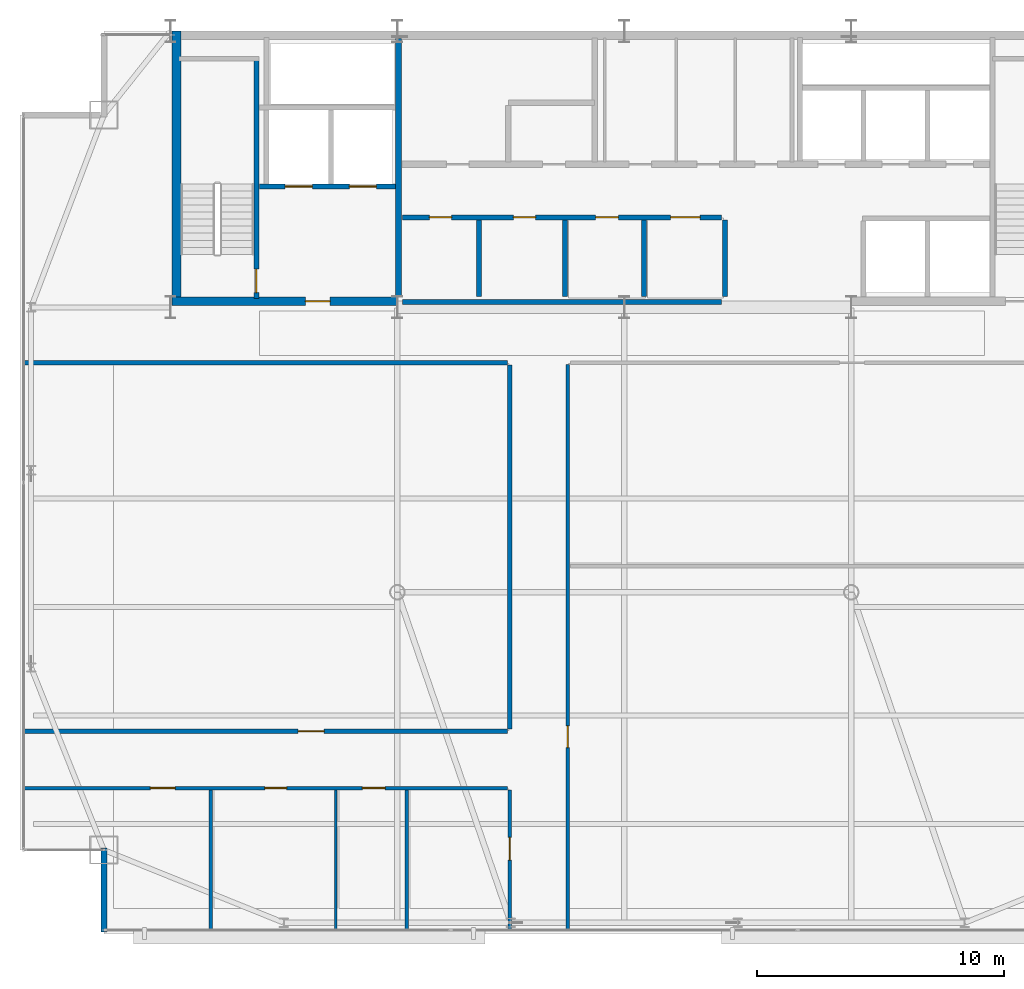
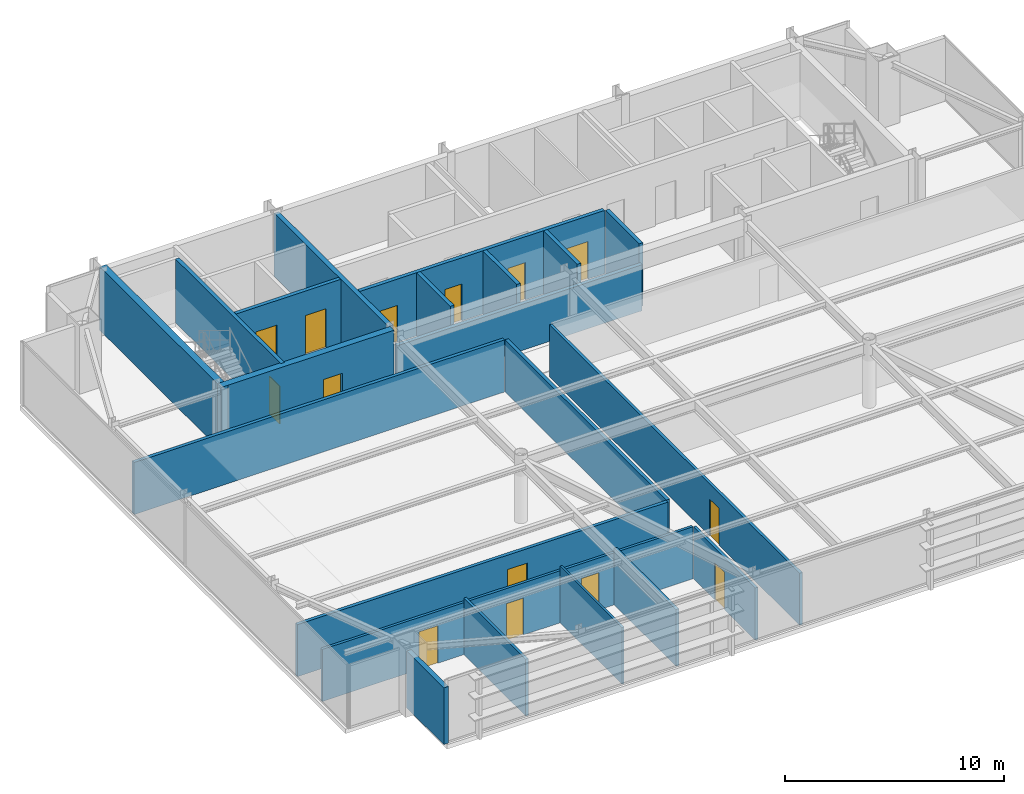
# One storey, part 22 of 25: 21 walls, 14 doors, 14 openings.
"""IFC4 building model written with IfcOpenShell, lengths in metres."""

from ifc_helpers import new_model, si_unit, direction, frame, frame_2d, origin, place, context, subcontext, project, spatial, rectangle, extrude, source, transform, mapped, material, layer, layer_set, type_object, type_shapes, element, fill, save


model = new_model("IFC4")

# Units and contexts
model_context = context("Model", 3, precision=1e-05, world=origin(), true_north=direction((0.0, 1.0)))
body_context = subcontext(model_context, "Body", "Model", "MODEL_VIEW")
ifc_project = project(units=[si_unit("LENGTHUNIT", "METRE"), si_unit("AREAUNIT", "SQUARE_METRE"), si_unit("VOLUMEUNIT", "CUBIC_METRE"), si_unit("PLANEANGLEUNIT", "RADIAN"), si_unit("MASSUNIT", "GRAM", prefix="KILO")], contexts=[model_context])

# Site, building, storey
site_placement = place(None, origin())
site = spatial("IfcSite", under=ifc_project, at=site_placement, CompositionType="ELEMENT")
building_placement = place(site_placement, origin())
building = spatial("IfcBuilding", under=site, at=building_placement, Name="Varnel Quay Broadcast Tower", CompositionType="ELEMENT")
storey_placement = place(building_placement, frame((0.0, 0.0, 250.800048828125)))
storey = spatial("IfcBuildingStorey", under=building, at=storey_placement, Name="L62", CompositionType="ELEMENT", Elevation=250.800048828125)

# Wall, opening, door
ifc_material_1 = material(Name="Concrete CSA A23.3 C50/60", Category="concrete")
ifc_layer_1 = layer(ifc_material_1, 0.199951171875, Name="Concrete CSA A23.3 C50/60")
ifc_layer_set_1 = layer_set([ifc_layer_1], Name="Concrete CSA A23.3 C50/60")
wall_type_1 = type_object("IfcWallType", Name="Wall_CoreShaftShear200", PredefinedType="SHEAR", material=ifc_layer_set_1)
wall_1_placement = place(storey_placement, frame((19.080078125, 35.949951171875, 0.0), z_axis=(0.0, 0.0, 1.0), x_axis=(0.0, 1.0, 0.0)))
wall_1 = element("IfcWall", 1, at=wall_1_placement, inside=storey, type_object=wall_type_1, Name="L62 Stair 1 East Structural Wall", PredefinedType="SHEAR", context=body_context, shape_type="SweptSolid", body=[
    extrude(rectangle(XDim=9.650146484375, YDim=0.199951171875, at=frame_2d((4.8251953125, 0.0))), origin(), (0.0, 0.0, 1.0), 3.550048828125),
])
opening_1_placement = place(wall_1_placement, frame((0.25, 0.0, 0.0)))
opening_1 = element("IfcOpeningElement", 2, at=opening_1_placement, cuts=wall_1, Name="Opening D-L62-S1", PredefinedType="OPENING", context=body_context, shape_type="SweptSolid", body=[
    extrude(rectangle(XDim=0.949951171875, YDim=2.10009765625, at=frame_2d((0.47509765625, 1.050048828125))), frame((0.0, 0.10986328125, 0.0), z_axis=(0.0, -1.0, 0.0), x_axis=(1.0, 0.0, 0.0)), (0.0, 0.0, 1.0), 0.219970703125),
])
ifc_material_2 = material(Name="Insulated Fire-Rated Hollow Steel Door", Category="steel")
door_type_1 = type_object("IfcDoorType", Name="Door_FireStair950", OperationType="NOTDEFINED", PredefinedType="DOOR", material=ifc_material_2)
shared_shape_1 = source(origin(), body_context, "Body", "SweptSolid", [
    extrude(rectangle(XDim=0.949951171875, YDim=2.10009765625, at=frame_2d((0.47509765625, 1.050048828125))), frame((0.0, 0.02490234375, 0.0), z_axis=(0.0, -1.0, 0.0), x_axis=(1.0, 0.0, 0.0)), (0.0, 0.0, 1.0), 0.050048828125),
])
type_shapes(door_type_1, [shared_shape_1])
door_1_placement = place(opening_1_placement, origin())
door_1 = element("IfcDoor", 3, at=door_1_placement, inside=storey, type_object=door_type_1, Name="L62 Stair 1 Fire Door", OperationType="SINGLE_SWING_RIGHT", OverallHeight=2.10009765625, OverallWidth=0.949951171875, PredefinedType="DOOR", context=body_context, shape_type="MappedRepresentation", body=[
    mapped(shared_shape_1, transform((0.0, 0.0, 0.0), x_axis=(1.0, 0.0, 0.0), y_axis=(0.0, 1.0, 0.0), z_axis=(0.0, 0.0, 1.0), scale=1.0)),
])
fill(opening_1, door_1)

# Wall, openings, doors
wall_2_placement = place(storey_placement, frame((19.199951171875, 40.5, 0.0), z_axis=(0.0, 0.0, 1.0), x_axis=(1.0, 0.0, 0.0)))
wall_2 = element("IfcWall", 4, at=wall_2_placement, inside=storey, type_object=wall_type_1, Name="L62 Firefighter Lift Shaft Front Wall", PredefinedType="SHEAR", context=body_context, shape_type="SweptSolid", body=[
    extrude(rectangle(XDim=5.52001953125, YDim=0.199951171875, at=frame_2d((2.760009765625, 0.0))), origin(), (0.0, 0.0, 1.0), 3.550048828125),
])
opening_2_placement = place(wall_2_placement, frame((1.050048828125, 0.0, 0.0)))
opening_2 = element("IfcOpeningElement", 5, at=opening_2_placement, cuts=wall_2, Name="Opening LD-L62-FE1", PredefinedType="OPENING", context=body_context, shape_type="SweptSolid", body=[
    extrude(rectangle(XDim=1.10009765625, YDim=2.179931640625, at=frame_2d((0.550048828125, 1.08984375))), frame((0.0, 0.10986328125, 0.0), z_axis=(0.0, -1.0, 0.0), x_axis=(1.0, 0.0, 0.0)), (0.0, 0.0, 1.0), 0.219970703125),
])
opening_3_placement = place(wall_2_placement, frame((3.64990234375, 0.0, 0.0)))
opening_3 = element("IfcOpeningElement", 6, at=opening_3_placement, cuts=wall_2, Name="Opening LD-L62-FE2", PredefinedType="OPENING", context=body_context, shape_type="SweptSolid", body=[
    extrude(rectangle(XDim=1.10009765625, YDim=2.179931640625, at=frame_2d((0.550048828125, 1.08984375))), frame((0.0, 0.10986328125, 0.0), z_axis=(0.0, -1.0, 0.0), x_axis=(1.0, 0.0, 0.0)), (0.0, 0.0, 1.0), 0.219970703125),
])
ifc_material_3 = material(Name="Brushed Bronze-Stainless Lift Car & Sliding Doors", Category="steel")
door_type_2 = type_object("IfcDoorType", Name="Door_LiftLanding1100", OperationType="SLIDING_TO_LEFT", PredefinedType="DOOR", material=ifc_material_3)
shared_shape_2 = source(origin(), body_context, "Body", "SweptSolid", [
    extrude(rectangle(XDim=1.10009765625, YDim=2.179931640625, at=frame_2d((0.550048828125, 1.08984375))), frame((0.0, 0.02490234375, 0.0), z_axis=(0.0, -1.0, 0.0), x_axis=(1.0, 0.0, 0.0)), (0.0, 0.0, 1.0), 0.050048828125),
])
type_shapes(door_type_2, [shared_shape_2])
door_2_placement = place(opening_2_placement, frame((1.10009765625, 0.0, 0.0), z_axis=(0.0, 0.0, 1.0), x_axis=(-1.0, 0.0, 0.0)))
door_2 = element("IfcDoor", 7, at=door_2_placement, inside=storey, type_object=door_type_2, Name="L62 Firefighter Lift FE-01 Landing Door", OperationType="SLIDING_TO_LEFT", OverallHeight=2.179931640625, OverallWidth=1.10009765625, PredefinedType="DOOR", context=body_context, shape_type="MappedRepresentation", body=[
    mapped(shared_shape_2, transform((0.0, 0.0, 0.0), x_axis=(1.0, 0.0, 0.0), y_axis=(0.0, 1.0, 0.0), z_axis=(0.0, 0.0, 1.0), scale=1.0)),
])
fill(opening_2, door_2)
door_3_placement = place(opening_3_placement, frame((1.10009765625, 0.0, 0.0), z_axis=(0.0, 0.0, 1.0), x_axis=(-1.0, 0.0, 0.0)))
door_3 = element("IfcDoor", 8, at=door_3_placement, inside=storey, type_object=door_type_2, Name="L62 Firefighter Lift FE-02 Landing Door", OperationType="SLIDING_TO_RIGHT", OverallHeight=2.179931640625, OverallWidth=1.10009765625, PredefinedType="DOOR", context=body_context, shape_type="MappedRepresentation", body=[
    mapped(shared_shape_2, transform((0.0, 0.0, 0.0), x_axis=(1.0, 0.0, 0.0), y_axis=(0.0, 1.0, 0.0), z_axis=(0.0, 0.0, 1.0), scale=1.0)),
])
fill(opening_3, door_3)

# Walls
ifc_layer_2 = layer(ifc_material_1, 0.25, Name="Concrete CSA A23.3 C50/60")
ifc_layer_set_2 = layer_set([ifc_layer_2], Name="Concrete CSA A23.3 C50/60")
wall_type_2 = type_object("IfcWallType", Name="Wall_CoreShaftShear250", PredefinedType="SHEAR", material=ifc_layer_set_2)
wall_3_placement = place(storey_placement, frame((24.85009765625, 36.050048828125, 0.0), z_axis=(0.0, 0.0, 1.0), x_axis=(0.0, 1.0, 0.0)))
element("IfcWall", 9, at=wall_3_placement, inside=storey, type_object=wall_type_2, Name="L62 Firefighting Lobby East Structural Wall", PredefinedType="SHEAR", context=body_context, shape_type="SweptSolid", body=[
    extrude(rectangle(XDim=10.449951171875, YDim=0.25, at=frame_2d((5.22509765625, 0.0))), origin(), (0.0, 0.0, 1.0), 3.550048828125),
])
ifc_layer_3 = layer(ifc_material_1, 0.35009765625, Name="Concrete CSA A23.3 C50/60")
ifc_layer_set_3 = layer_set([ifc_layer_3], Name="Concrete CSA A23.3 C50/60")
wall_type_3 = type_object("IfcWallType", Name="Wall_CoreShearInt350", PredefinedType="SHEAR", material=ifc_layer_set_3)
wall_4_placement = place(storey_placement, frame((15.844970703125, 35.669921875, 0.0), z_axis=(0.0, 0.0, 1.0), x_axis=(0.0, 1.0, 0.0)))
element("IfcWall", 10, at=wall_4_placement, inside=storey, type_object=wall_type_3, Name="L62 West Core Shear Wall", PredefinedType="SHEAR", context=body_context, shape_type="SweptSolid", body=[
    extrude(rectangle(XDim=11.130126953125, YDim=0.35009765625, at=frame_2d((5.56494140625, 0.0))), origin(), (0.0, 0.0, 1.0), 3.550048828125),
])

# Wall, opening, door
wall_5_placement = place(storey_placement, frame((15.669921875, 35.844970703125, 0.0), z_axis=(0.0, 0.0, 1.0), x_axis=(1.0, 0.0, 0.0)))
wall_5 = element("IfcWall", 11, at=wall_5_placement, inside=storey, type_object=wall_type_3, Name="L62 South-West Core Shear Wall", PredefinedType="SHEAR", context=body_context, shape_type="SweptSolid", body=[
    extrude(rectangle(XDim=9.130126953125, YDim=0.35009765625, at=frame_2d((4.56494140625, 0.0))), origin(), (0.0, 0.0, 1.0), 3.550048828125),
])
opening_4_placement = place(wall_5_placement, frame((5.39990234375, 0.0, 0.0)))
opening_4 = element("IfcOpeningElement", 12, at=opening_4_placement, cuts=wall_5, Name="Opening D-L62-FFL", PredefinedType="OPENING", context=body_context, shape_type="SweptSolid", body=[
    extrude(rectangle(XDim=1.0, YDim=2.10009765625, at=frame_2d((0.5, 1.050048828125))), frame((0.0, 0.18505859375, 0.0), z_axis=(0.0, -1.0, 0.0), x_axis=(1.0, 0.0, 0.0)), (0.0, 0.0, 1.0), 0.3701171875),
])
door_type_3 = type_object("IfcDoorType", Name="Door_FireLobby1000", OperationType="NOTDEFINED", PredefinedType="DOOR", material=ifc_material_2)
shared_shape_3 = source(origin(), body_context, "Body", "SweptSolid", [
    extrude(rectangle(XDim=1.0, YDim=2.10009765625, at=frame_2d((0.5, 1.050048828125))), frame((0.0, 0.02490234375, 0.0), z_axis=(0.0, -1.0, 0.0), x_axis=(1.0, 0.0, 0.0)), (0.0, 0.0, 1.0), 0.050048828125),
])
type_shapes(door_type_3, [shared_shape_3])
door_4_placement = place(opening_4_placement, origin())
door_4 = element("IfcDoor", 13, at=door_4_placement, inside=storey, type_object=door_type_3, Name="L62 Firefighting Lobby Door", OperationType="SINGLE_SWING_LEFT", OverallHeight=2.10009765625, OverallWidth=1.0, PredefinedType="DOOR", context=body_context, shape_type="MappedRepresentation", body=[
    mapped(shared_shape_3, transform((0.0, 0.0, 0.0), x_axis=(1.0, 0.0, 0.0), y_axis=(0.0, 1.0, 0.0), z_axis=(0.0, 0.0, 1.0), scale=1.0)),
])
fill(opening_4, door_4)

# Walls
ifc_material_4 = material(Name="Precast Architectural Concrete C40/50", Category="concrete")
ifc_layer_4 = layer(ifc_material_4, 0.25, Name="Precast Architectural Concrete C40/50")
ifc_layer_set_4 = layer_set([ifc_layer_4], Name="Precast Architectural Concrete C40/50")
wall_type_4 = type_object("IfcWallType", Name="Wall_ExtTerrace250", PredefinedType="SOLIDWALL", material=ifc_layer_set_4)
wall_6_placement = place(storey_placement, frame((12.89990234375, 10.280029296875, 0.0), z_axis=(0.0, 0.0, 1.0), x_axis=(0.0, 1.0, 0.0)))
element("IfcWall", 14, at=wall_6_placement, inside=storey, type_object=wall_type_4, Name="L62 Mega-Column Notch Cladding Wall NSW2", PredefinedType="SOLIDWALL", context=body_context, shape_type="SweptSolid", body=[
    extrude(rectangle(XDim=3.39990234375, YDim=0.25, at=frame_2d((1.699951171875, 0.0))), origin(), (0.0, 0.0, 1.0), 3.1708984375),
])
ifc_material_5 = material(Name="Concrete Blockwork Fire Enclosure C40/50", Category="masonry")
ifc_layer_5 = layer(ifc_material_5, 0.199951171875, Name="Concrete Blockwork Fire Enclosure C40/50")
ifc_layer_set_5 = layer_set([ifc_layer_5], Name="Concrete Blockwork Fire Enclosure C40/50")
wall_type_5 = type_object("IfcWallType", Name="Wall_FireShaft200", PredefinedType="SOLIDWALL", material=ifc_layer_set_5)
wall_7_placement = place(storey_placement, frame((25.0, 35.824951171875, 0.0), z_axis=(0.0, 0.0, 1.0), x_axis=(1.0, 0.0, 0.0)))
element("IfcWall", 15, at=wall_7_placement, inside=storey, type_object=wall_type_5, Name="L62 Accessible Universal Washroom Partition 1", PredefinedType="SOLIDWALL", context=body_context, shape_type="SweptSolid", body=[
    extrude(rectangle(XDim=12.949951171875, YDim=0.199951171875, at=frame_2d((6.47509765625, 0.0))), origin(), (0.0, 0.0, 1.0), 2.574951171875),
])

# Wall, openings, doors
wall_8_placement = place(storey_placement, frame((25.0, 39.25, 0.0), z_axis=(0.0, 0.0, 1.0), x_axis=(1.0, 0.0, 0.0)))
wall_8 = element("IfcWall", 16, at=wall_8_placement, inside=storey, type_object=wall_type_5, Name="L62 Accessible Universal Washroom Partition 3", PredefinedType="SOLIDWALL", context=body_context, shape_type="SweptSolid", body=[
    extrude(rectangle(XDim=12.949951171875, YDim=0.199951171875, at=frame_2d((6.47509765625, 0.0))), origin(), (0.0, 0.0, 1.0), 3.530029296875),
])
opening_5_placement = place(wall_8_placement, frame((1.10009765625, 0.0, 0.0)))
opening_5 = element("IfcOpeningElement", 17, at=opening_5_placement, cuts=wall_8, Name="Opening D-L62-01", PredefinedType="OPENING", context=body_context, shape_type="SweptSolid", body=[
    extrude(rectangle(XDim=0.89990234375, YDim=2.06005859375, at=frame_2d((0.449951171875, 1.030029296875))), frame((0.0, 0.10986328125, 0.0), z_axis=(0.0, -1.0, 0.0), x_axis=(1.0, 0.0, 0.0)), (0.0, 0.0, 1.0), 0.219970703125),
])
opening_6_placement = place(wall_8_placement, frame((4.5, 0.0, 0.0)))
opening_6 = element("IfcOpeningElement", 18, at=opening_6_placement, cuts=wall_8, Name="Opening D-L62-02", PredefinedType="OPENING", context=body_context, shape_type="SweptSolid", body=[
    extrude(rectangle(XDim=0.89990234375, YDim=2.06005859375, at=frame_2d((0.449951171875, 1.030029296875))), frame((0.0, 0.10986328125, 0.0), z_axis=(0.0, -1.0, 0.0), x_axis=(1.0, 0.0, 0.0)), (0.0, 0.0, 1.0), 0.219970703125),
])
opening_7_placement = place(wall_8_placement, frame((7.840087890625, 0.0, 0.0)))
opening_7 = element("IfcOpeningElement", 19, at=opening_7_placement, cuts=wall_8, Name="Opening D-L62-03", PredefinedType="OPENING", context=body_context, shape_type="SweptSolid", body=[
    extrude(rectangle(XDim=0.919921875, YDim=2.080078125, at=frame_2d((0.4599609375, 1.0400390625))), frame((0.0, 0.10986328125, 0.0), z_axis=(0.0, -1.0, 0.0), x_axis=(1.0, 0.0, 0.0)), (0.0, 0.0, 1.0), 0.219970703125),
])
opening_8_placement = place(wall_8_placement, frame((10.875, 0.0, 0.0)))
opening_8 = element("IfcOpeningElement", 20, at=opening_8_placement, cuts=wall_8, Name="Opening D-L62-04", PredefinedType="OPENING", context=body_context, shape_type="SweptSolid", body=[
    extrude(rectangle(XDim=1.199951171875, YDim=2.10009765625, at=frame_2d((0.60009765625, 1.050048828125))), frame((0.0, 0.10986328125, 0.0), z_axis=(0.0, -1.0, 0.0), x_axis=(1.0, 0.0, 0.0)), (0.0, 0.0, 1.0), 0.219970703125),
])
ifc_material_6 = material(Name="Solid-Core Fire-Rated Acoustic Oak Veneer Door", Category="wood")
door_type_4 = type_object("IfcDoorType", Name="Door_Washroom900", OperationType="NOTDEFINED", PredefinedType="DOOR", material=ifc_material_6)
shared_shape_4 = source(origin(), body_context, "Body", "SweptSolid", [
    extrude(rectangle(XDim=0.89990234375, YDim=2.06005859375, at=frame_2d((0.449951171875, 1.030029296875))), frame((0.0, 0.02490234375, 0.0), z_axis=(0.0, -1.0, 0.0), x_axis=(1.0, 0.0, 0.0)), (0.0, 0.0, 1.0), 0.050048828125),
])
type_shapes(door_type_4, [shared_shape_4])
door_5_placement = place(opening_5_placement, frame((0.89990234375, 0.0, 0.0), z_axis=(0.0, 0.0, 1.0), x_axis=(-1.0, 0.0, 0.0)))
door_5 = element("IfcDoor", 21, at=door_5_placement, inside=storey, type_object=door_type_4, Name="L62 Accessible Universal Washroom Door D-L62-01", OperationType="SINGLE_SWING_RIGHT", OverallHeight=2.06005859375, OverallWidth=0.89990234375, PredefinedType="DOOR", context=body_context, shape_type="MappedRepresentation", body=[
    mapped(shared_shape_4, transform((0.0, 0.0, 0.0), x_axis=(1.0, 0.0, 0.0), y_axis=(0.0, 1.0, 0.0), z_axis=(0.0, 0.0, 1.0), scale=1.0)),
])
fill(opening_5, door_5)
door_6_placement = place(opening_6_placement, frame((0.89990234375, 0.0, 0.0), z_axis=(0.0, 0.0, 1.0), x_axis=(-1.0, 0.0, 0.0)))
door_6 = element("IfcDoor", 22, at=door_6_placement, inside=storey, type_object=door_type_4, Name="L62 Staff Washroom Block Door D-L62-02", OperationType="SINGLE_SWING_LEFT", OverallHeight=2.06005859375, OverallWidth=0.89990234375, PredefinedType="DOOR", context=body_context, shape_type="MappedRepresentation", body=[
    mapped(shared_shape_4, transform((0.0, 0.0, 0.0), x_axis=(1.0, 0.0, 0.0), y_axis=(0.0, 1.0, 0.0), z_axis=(0.0, 0.0, 1.0), scale=1.0)),
])
fill(opening_6, door_6)
door_type_5 = type_object("IfcDoorType", Name="Door_Plant1200", OperationType="NOTDEFINED", PredefinedType="DOOR", material=ifc_material_2)
shared_shape_5 = source(origin(), body_context, "Body", "SweptSolid", [
    extrude(rectangle(XDim=1.199951171875, YDim=2.10009765625, at=frame_2d((0.60009765625, 1.050048828125))), frame((0.0, 0.02490234375, 0.0), z_axis=(0.0, -1.0, 0.0), x_axis=(1.0, 0.0, 0.0)), (0.0, 0.0, 1.0), 0.050048828125),
])
type_shapes(door_type_5, [shared_shape_5])
door_7_placement = place(opening_8_placement, origin())
door_7 = element("IfcDoor", 23, at=door_7_placement, inside=storey, type_object=door_type_5, Name="L62 Zone Lighting Dimmer Room Door D-L62-04", OperationType="SINGLE_SWING_LEFT", OverallHeight=2.10009765625, OverallWidth=1.199951171875, PredefinedType="DOOR", context=body_context, shape_type="MappedRepresentation", body=[
    mapped(shared_shape_5, transform((0.0, 0.0, 0.0), x_axis=(1.0, 0.0, 0.0), y_axis=(0.0, 1.0, 0.0), z_axis=(0.0, 0.0, 1.0), scale=1.0)),
])
fill(opening_8, door_7)
door_type_6 = type_object("IfcDoorType", Name="Door_Office920", OperationType="NOTDEFINED", PredefinedType="DOOR", material=ifc_material_6)
shared_shape_6 = source(origin(), body_context, "Body", "SweptSolid", [
    extrude(rectangle(XDim=0.919921875, YDim=2.080078125, at=frame_2d((0.4599609375, 1.0400390625))), frame((0.0, 0.02490234375, 0.0), z_axis=(0.0, -1.0, 0.0), x_axis=(1.0, 0.0, 0.0)), (0.0, 0.0, 1.0), 0.050048828125),
])
type_shapes(door_type_6, [shared_shape_6])
door_8_placement = place(opening_7_placement, frame((0.919921875, 0.0, 0.0), z_axis=(0.0, 0.0, 1.0), x_axis=(-1.0, 0.0, 0.0)))
door_8 = element("IfcDoor", 24, at=door_8_placement, inside=storey, type_object=door_type_6, Name="L62 Broadcast First-Aid & Quiet Room Door D-L62-03", OperationType="SINGLE_SWING_RIGHT", OverallHeight=2.080078125, OverallWidth=0.919921875, PredefinedType="DOOR", context=body_context, shape_type="MappedRepresentation", body=[
    mapped(shared_shape_6, transform((0.0, 0.0, 0.0), x_axis=(1.0, 0.0, 0.0), y_axis=(0.0, 1.0, 0.0), z_axis=(0.0, 0.0, 1.0), scale=1.0)),
])
fill(opening_7, door_8)

# Walls
for number, where, z_axis, x_axis, name in (
    (25, (34.800048828125, 36.050048828125, 0.0), (0.0, 0.0, 1.0), (0.0, 1.0, 0.0), "L62 Broadcast First-Aid & Quiet Room Partition 5"),
    (26, (38.074951171875, 36.050048828125, 0.0), (0.0, 0.0, 1.0), (0.0, 1.0, 0.0), "L62 Zone Lighting Dimmer Room Partition 6"),
):
    element("IfcWall", number, at=place(storey_placement, frame(where, z_axis=z_axis, x_axis=x_axis)), inside=storey, type_object=wall_type_5, Name=name, PredefinedType="SOLIDWALL", context=body_context, shape_type="SweptSolid", body=[
        extrude(rectangle(XDim=3.099853515625, YDim=0.199951171875, at=frame_2d((1.5498046875, 0.0))), origin(), (0.0, 0.0, 1.0), 3.530029296875),
    ])
ifc_material_7 = material(Name="Steel-Stud Fire-Rated Acoustic Gypsum Partition Assembly", Category="steel")
ifc_layer_6 = layer(ifc_material_7, 0.10498046875, Name="Steel-Stud Fire-Rated Acoustic Gypsum Partition Assembly")
ifc_layer_set_6 = layer_set([ifc_layer_6], Name="Steel-Stud Fire-Rated Acoustic Gypsum Partition Assembly")
wall_type_6 = type_object("IfcWallType", Name="Wall_Partition105", PredefinedType="PARTITIONING", material=ifc_layer_set_6)
wall_9_placement = place(storey_placement, frame((22.300048828125, 10.3798828125, 0.0), z_axis=(0.0, 0.0, 1.0), x_axis=(0.0, 1.0, 0.0)))
element("IfcWall", 27, at=wall_9_placement, inside=storey, type_object=wall_type_6, Name="L62 Camera Locker Store 2 Partition 9", PredefinedType="PARTITIONING", context=body_context, shape_type="SweptSolid", body=[
    extrude(rectangle(XDim=5.66015625, YDim=0.10498046875, at=frame_2d((2.830078125, 0.0))), origin(), (0.0, 0.0, 1.0), 3.1708984375),
])
ifc_layer_7 = layer(ifc_material_7, 0.139892578125, Name="Steel-Stud Fire-Rated Acoustic Gypsum Partition Assembly")
ifc_layer_set_7 = layer_set([ifc_layer_7], Name="Steel-Stud Fire-Rated Acoustic Gypsum Partition Assembly")
wall_type_7 = type_object("IfcWallType", Name="Wall_Partition140", PredefinedType="PARTITIONING", material=ifc_layer_set_7)
wall_10_placement = place(storey_placement, frame((17.22998046875, 10.3798828125, 0.0), z_axis=(0.0, 0.0, 1.0), x_axis=(0.0, 1.0, 0.0)))
element("IfcWall", 28, at=wall_10_placement, inside=storey, type_object=wall_type_7, Name="L62 Press Green Lounge 1 Partition 7", PredefinedType="PARTITIONING", context=body_context, shape_type="SweptSolid", body=[
    extrude(rectangle(XDim=5.66015625, YDim=0.139892578125, at=frame_2d((2.830078125, 0.0))), origin(), (0.0, 0.0, 1.0), 3.1708984375),
])

# Wall, openings, doors
wall_11_placement = place(storey_placement, frame((9.679931640625, 16.110107421875, 0.0), z_axis=(0.0, 0.0, 1.0), x_axis=(1.0, 0.0, 0.0)))
wall_11 = element("IfcWall", 29, at=wall_11_placement, inside=storey, type_object=wall_type_7, Name="L62 Press Green Lounge 1 Partition 8", PredefinedType="PARTITIONING", context=body_context, shape_type="SweptSolid", body=[
    extrude(rectangle(XDim=19.580078125, YDim=0.139892578125, at=frame_2d((9.7900390625, 0.0))), origin(), (0.0, 0.0, 1.0), 2.907958984375),
])
opening_9_placement = place(wall_11_placement, frame((5.110107421875, 0.0, 0.0)))
opening_9 = element("IfcOpeningElement", 30, at=opening_9_placement, cuts=wall_11, Name="Opening D-L62-05", PredefinedType="OPENING", context=body_context, shape_type="SweptSolid", body=[
    extrude(rectangle(XDim=1.0, YDim=2.10009765625, at=frame_2d((0.5, 1.050048828125))), frame((0.0, 0.080078125, 0.0), z_axis=(0.0, -1.0, 0.0), x_axis=(1.0, 0.0, 0.0)), (0.0, 0.0, 1.0), 0.159912109375),
])
opening_10_placement = place(wall_11_placement, frame((9.7451171875, 0.0, 0.0)))
opening_10 = element("IfcOpeningElement", 31, at=opening_10_placement, cuts=wall_11, Name="Opening D-L62-06", PredefinedType="OPENING", context=body_context, shape_type="SweptSolid", body=[
    extrude(rectangle(XDim=0.8798828125, YDim=2.06005859375, at=frame_2d((0.43994140625, 1.030029296875))), frame((0.0, 0.080078125, 0.0), z_axis=(0.0, -1.0, 0.0), x_axis=(1.0, 0.0, 0.0)), (0.0, 0.0, 1.0), 0.159912109375),
])
opening_11_placement = place(wall_11_placement, frame((13.699951171875, 0.0, 0.0)))
opening_11 = element("IfcOpeningElement", 32, at=opening_11_placement, cuts=wall_11, Name="Opening D-L62-07", PredefinedType="OPENING", context=body_context, shape_type="SweptSolid", body=[
    extrude(rectangle(XDim=0.919921875, YDim=2.080078125, at=frame_2d((0.4599609375, 1.0400390625))), frame((0.0, 0.080078125, 0.0), z_axis=(0.0, -1.0, 0.0), x_axis=(1.0, 0.0, 0.0)), (0.0, 0.0, 1.0), 0.159912109375),
])
door_type_7 = type_object("IfcDoorType", Name="Door_Booth880", OperationType="NOTDEFINED", PredefinedType="DOOR", material=ifc_material_6)
shared_shape_7 = source(origin(), body_context, "Body", "SweptSolid", [
    extrude(rectangle(XDim=0.8798828125, YDim=2.06005859375, at=frame_2d((0.43994140625, 1.030029296875))), frame((0.0, 0.02490234375, 0.0), z_axis=(0.0, -1.0, 0.0), x_axis=(1.0, 0.0, 0.0)), (0.0, 0.0, 1.0), 0.050048828125),
])
type_shapes(door_type_7, [shared_shape_7])
door_9_placement = place(opening_10_placement, frame((0.8798828125, 0.0, 0.0), z_axis=(0.0, 0.0, 1.0), x_axis=(-1.0, 0.0, 0.0)))
door_9 = element("IfcDoor", 33, at=door_9_placement, inside=storey, type_object=door_type_7, Name="L62 Camera Locker Store 2 Door D-L62-06", OperationType="SINGLE_SWING_LEFT", OverallHeight=2.06005859375, OverallWidth=0.8798828125, PredefinedType="DOOR", context=body_context, shape_type="MappedRepresentation", body=[
    mapped(shared_shape_7, transform((0.0, 0.0, 0.0), x_axis=(1.0, 0.0, 0.0), y_axis=(0.0, 1.0, 0.0), z_axis=(0.0, 0.0, 1.0), scale=1.0)),
])
fill(opening_10, door_9)
door_10_placement = place(opening_11_placement, frame((0.919921875, 0.0, 0.0), z_axis=(0.0, 0.0, 1.0), x_axis=(-1.0, 0.0, 0.0)))
door_10 = element("IfcDoor", 34, at=door_10_placement, inside=storey, type_object=door_type_6, Name="L62 Broadcast Newsroom 3 Door D-L62-07", OperationType="SINGLE_SWING_RIGHT", OverallHeight=2.080078125, OverallWidth=0.919921875, PredefinedType="DOOR", context=body_context, shape_type="MappedRepresentation", body=[
    mapped(shared_shape_6, transform((0.0, 0.0, 0.0), x_axis=(1.0, 0.0, 0.0), y_axis=(0.0, 1.0, 0.0), z_axis=(0.0, 0.0, 1.0), scale=1.0)),
])
fill(opening_11, door_10)
door_type_8 = type_object("IfcDoorType", Name="Door_Exec1000", OperationType="NOTDEFINED", PredefinedType="DOOR", material=ifc_material_6)
shared_shape_8 = source(origin(), body_context, "Body", "SweptSolid", [
    extrude(rectangle(XDim=1.0, YDim=2.10009765625, at=frame_2d((0.5, 1.050048828125))), frame((0.0, 0.02490234375, 0.0), z_axis=(0.0, -1.0, 0.0), x_axis=(1.0, 0.0, 0.0)), (0.0, 0.0, 1.0), 0.050048828125),
])
type_shapes(door_type_8, [shared_shape_8])
door_11_placement = place(opening_9_placement, frame((1.0, 0.0, 0.0), z_axis=(0.0, 0.0, 1.0), x_axis=(-1.0, 0.0, 0.0)))
door_11 = element("IfcDoor", 35, at=door_11_placement, inside=storey, type_object=door_type_8, Name="L62 Press Green Lounge 1 Door D-L62-05", OperationType="SINGLE_SWING_RIGHT", OverallHeight=2.10009765625, OverallWidth=1.0, PredefinedType="DOOR", context=body_context, shape_type="MappedRepresentation", body=[
    mapped(shared_shape_8, transform((0.0, 0.0, 0.0), x_axis=(1.0, 0.0, 0.0), y_axis=(0.0, 1.0, 0.0), z_axis=(0.0, 0.0, 1.0), scale=1.0)),
])
fill(opening_9, door_11)

# Wall
ifc_layer_8 = layer(ifc_material_7, 0.14990234375, Name="Steel-Stud Fire-Rated Acoustic Gypsum Partition Assembly")
ifc_layer_set_8 = layer_set([ifc_layer_8], Name="Steel-Stud Fire-Rated Acoustic Gypsum Partition Assembly")
wall_type_8 = type_object("IfcWallType", Name="Wall_Partition150", PredefinedType="PARTITIONING", material=ifc_layer_set_8)
wall_12_placement = place(storey_placement, frame((25.179931640625, 10.3798828125, 0.0), z_axis=(0.0, 0.0, 1.0), x_axis=(0.0, 1.0, 0.0)))
element("IfcWall", 36, at=wall_12_placement, inside=storey, type_object=wall_type_8, Name="L62 Broadcast Newsroom 3 Partition 10", PredefinedType="PARTITIONING", context=body_context, shape_type="SweptSolid", body=[
    extrude(rectangle(XDim=5.66015625, YDim=0.14990234375, at=frame_2d((2.830078125, 0.0))), origin(), (0.0, 0.0, 1.0), 3.1708984375),
])

# Wall, opening, door
wall_13_placement = place(storey_placement, frame((29.360107421875, 10.3798828125, 0.0), z_axis=(0.0, 0.0, 1.0), x_axis=(0.0, 1.0, 0.0)))
wall_13 = element("IfcWall", 37, at=wall_13_placement, inside=storey, type_object=wall_type_8, Name="L62 Assignment Desk 4 Partition 11", PredefinedType="PARTITIONING", context=body_context, shape_type="SweptSolid", body=[
    extrude(rectangle(XDim=5.66015625, YDim=0.14990234375, at=frame_2d((2.830078125, 0.0))), origin(), (0.0, 0.0, 1.0), 2.907958984375),
])
opening_12_placement = place(wall_13_placement, frame((2.81005859375, 0.0, 0.0)))
opening_12 = element("IfcOpeningElement", 38, at=opening_12_placement, cuts=wall_13, Name="Opening D-L62-08", PredefinedType="OPENING", context=body_context, shape_type="SweptSolid", body=[
    extrude(rectangle(XDim=0.919921875, YDim=2.080078125, at=frame_2d((0.4599609375, 1.0400390625))), frame((0.0, 0.0849609375, 0.0), z_axis=(0.0, -1.0, 0.0), x_axis=(1.0, 0.0, 0.0)), (0.0, 0.0, 1.0), 0.169921875),
])
door_12_placement = place(opening_12_placement, origin())
door_12 = element("IfcDoor", 39, at=door_12_placement, inside=storey, type_object=door_type_6, Name="L62 Assignment Desk 4 Door D-L62-08", OperationType="SINGLE_SWING_LEFT", OverallHeight=2.080078125, OverallWidth=0.919921875, PredefinedType="DOOR", context=body_context, shape_type="MappedRepresentation", body=[
    mapped(shared_shape_6, transform((0.0, 0.0, 0.0), x_axis=(1.0, 0.0, 0.0), y_axis=(0.0, 1.0, 0.0), z_axis=(0.0, 0.0, 1.0), scale=1.0)),
])
fill(opening_12, door_12)

wall_14_placement = place(storey_placement, frame((31.7099609375, 10.3798828125, 0.0), z_axis=(0.0, 0.0, 1.0), x_axis=(0.0, 1.0, 0.0)))
wall_14 = element("IfcWall", 40, at=wall_14_placement, inside=storey, type_object=wall_type_8, Name="L62 Break Kitchen 6 Partition 16", PredefinedType="PARTITIONING", context=body_context, shape_type="SweptSolid", body=[
    extrude(rectangle(XDim=22.900146484375, YDim=0.14990234375, at=frame_2d((11.4501953125, 0.0))), origin(), (0.0, 0.0, 1.0), 2.907958984375),
])
opening_13_placement = place(wall_14_placement, frame((7.375, 0.0, 0.0)))
opening_13 = element("IfcOpeningElement", 41, at=opening_13_placement, cuts=wall_14, Name="Opening D-L62-10", PredefinedType="OPENING", context=body_context, shape_type="SweptSolid", body=[
    extrude(rectangle(XDim=0.8798828125, YDim=2.06005859375, at=frame_2d((0.43994140625, 1.030029296875))), frame((0.0, 0.0849609375, 0.0), z_axis=(0.0, -1.0, 0.0), x_axis=(1.0, 0.0, 0.0)), (0.0, 0.0, 1.0), 0.169921875),
])
door_13_placement = place(opening_13_placement, frame((0.8798828125, 0.0, 0.0), z_axis=(0.0, 0.0, 1.0), x_axis=(-1.0, 0.0, 0.0)))
door_13 = element("IfcDoor", 42, at=door_13_placement, inside=storey, type_object=door_type_7, Name="L62 Break Kitchen 6 Door D-L62-10", OperationType="SINGLE_SWING_LEFT", OverallHeight=2.06005859375, OverallWidth=0.8798828125, PredefinedType="DOOR", context=body_context, shape_type="MappedRepresentation", body=[
    mapped(shared_shape_7, transform((0.0, 0.0, 0.0), x_axis=(1.0, 0.0, 0.0), y_axis=(0.0, 1.0, 0.0), z_axis=(0.0, 0.0, 1.0), scale=1.0)),
])
fill(opening_13, door_13)

ifc_layer_9 = layer(ifc_material_7, 0.175048828125, Name="Steel-Stud Fire-Rated Acoustic Gypsum Partition Assembly")
ifc_layer_set_9 = layer_set([ifc_layer_9], Name="Steel-Stud Fire-Rated Acoustic Gypsum Partition Assembly")
wall_type_9 = type_object("IfcWallType", Name="Wall_Partition175", PredefinedType="PARTITIONING", material=ifc_layer_set_9)
wall_15_placement = place(storey_placement, frame((9.679931640625, 18.409912109375, 0.0), z_axis=(0.0, 0.0, 1.0), x_axis=(1.0, 0.0, 0.0)))
wall_15 = element("IfcWall", 43, at=wall_15_placement, inside=storey, type_object=wall_type_9, Name="L62 Editorial Boardroom 5 Partition 12", PredefinedType="PARTITIONING", context=body_context, shape_type="SweptSolid", body=[
    extrude(rectangle(XDim=19.580078125, YDim=0.175048828125, at=frame_2d((9.7900390625, 0.0))), origin(), (0.0, 0.0, 1.0), 2.907958984375),
])
opening_14_placement = place(wall_15_placement, frame((11.10009765625, 0.0, 0.0)))
opening_14 = element("IfcOpeningElement", 44, at=opening_14_placement, cuts=wall_15, Name="Opening D-L62-09", PredefinedType="OPENING", context=body_context, shape_type="SweptSolid", body=[
    extrude(rectangle(XDim=1.050048828125, YDim=2.10009765625, at=frame_2d((0.52490234375, 1.050048828125))), frame((0.0, 0.09765625, 0.0), z_axis=(0.0, -1.0, 0.0), x_axis=(1.0, 0.0, 0.0)), (0.0, 0.0, 1.0), 0.195068359375),
])
door_type_9 = type_object("IfcDoorType", Name="Door_Meeting1050", OperationType="NOTDEFINED", PredefinedType="DOOR", material=ifc_material_6)
shared_shape_9 = source(origin(), body_context, "Body", "SweptSolid", [
    extrude(rectangle(XDim=1.050048828125, YDim=2.10009765625, at=frame_2d((0.52490234375, 1.050048828125))), frame((0.0, 0.02490234375, 0.0), z_axis=(0.0, -1.0, 0.0), x_axis=(1.0, 0.0, 0.0)), (0.0, 0.0, 1.0), 0.050048828125),
])
type_shapes(door_type_9, [shared_shape_9])
door_14_placement = place(opening_14_placement, origin())
door_14 = element("IfcDoor", 45, at=door_14_placement, inside=storey, type_object=door_type_9, Name="L62 Editorial Boardroom 5 Door D-L62-09", OperationType="SINGLE_SWING_RIGHT", OverallHeight=2.10009765625, OverallWidth=1.050048828125, PredefinedType="DOOR", context=body_context, shape_type="MappedRepresentation", body=[
    mapped(shared_shape_9, transform((0.0, 0.0, 0.0), x_axis=(1.0, 0.0, 0.0), y_axis=(0.0, 1.0, 0.0), z_axis=(0.0, 0.0, 1.0), scale=1.0)),
])
fill(opening_14, door_14)

# Walls
wall_16_placement = place(storey_placement, frame((29.360107421875, 18.4970703125, 0.0), z_axis=(0.0, 0.0, 1.0), x_axis=(0.0, 1.0, 0.0)))
element("IfcWall", 46, at=wall_16_placement, inside=storey, type_object=wall_type_9, Name="L62 Editorial Boardroom 5 Partition 13", PredefinedType="PARTITIONING", context=body_context, shape_type="SweptSolid", body=[
    extrude(rectangle(XDim=14.765869140625, YDim=0.175048828125, at=frame_2d((7.3828125, 0.0))), origin(), (0.0, 0.0, 1.0), 2.907958984375),
])
wall_17_placement = place(storey_placement, frame((9.679931640625, 33.35009765625, 0.0), z_axis=(0.0, 0.0, 1.0), x_axis=(1.0, 0.0, 0.0)))
element("IfcWall", 47, at=wall_17_placement, inside=storey, type_object=wall_type_9, Name="L62 Editorial Boardroom 5 Partition 14", PredefinedType="PARTITIONING", context=body_context, shape_type="SweptSolid", body=[
    extrude(rectangle(XDim=19.580078125, YDim=0.175048828125, at=frame_2d((9.7900390625, 0.0))), origin(), (0.0, 0.0, 1.0), 2.907958984375),
])
ifc_material_8 = material(Name="Fire-Rated Moisture-Resistant Plumbing Chase Partition")
ifc_layer_10 = layer(ifc_material_8, 0.199951171875, Name="Fire-Rated Moisture-Resistant Plumbing Chase Partition")
ifc_layer_set_10 = layer_set([ifc_layer_10], Name="Fire-Rated Moisture-Resistant Plumbing Chase Partition")
wall_type_10 = type_object("IfcWallType", Name="Wall_Plumbing200", PredefinedType="PLUMBINGWALL", material=ifc_layer_set_10)
for number, where, z_axis, x_axis, name in (
    (48, (28.10009765625, 36.050048828125, 0.0), (0.0, 0.0, 1.0), (0.0, 1.0, 0.0), "L62 Accessible Universal Washroom Partition 2"),
    (49, (31.60009765625, 36.050048828125, 0.0), (0.0, 0.0, 1.0), (0.0, 1.0, 0.0), "L62 Staff Washroom Block Partition 4"),
):
    element("IfcWall", number, at=place(storey_placement, frame(where, z_axis=z_axis, x_axis=x_axis)), inside=storey, type_object=wall_type_10, Name=name, PredefinedType="PLUMBINGWALL", context=body_context, shape_type="SweptSolid", body=[
        extrude(rectangle(XDim=3.099853515625, YDim=0.199951171875, at=frame_2d((1.5498046875, 0.0))), origin(), (0.0, 0.0, 1.0), 3.530029296875),
    ])

save(model, "model.ifc")
